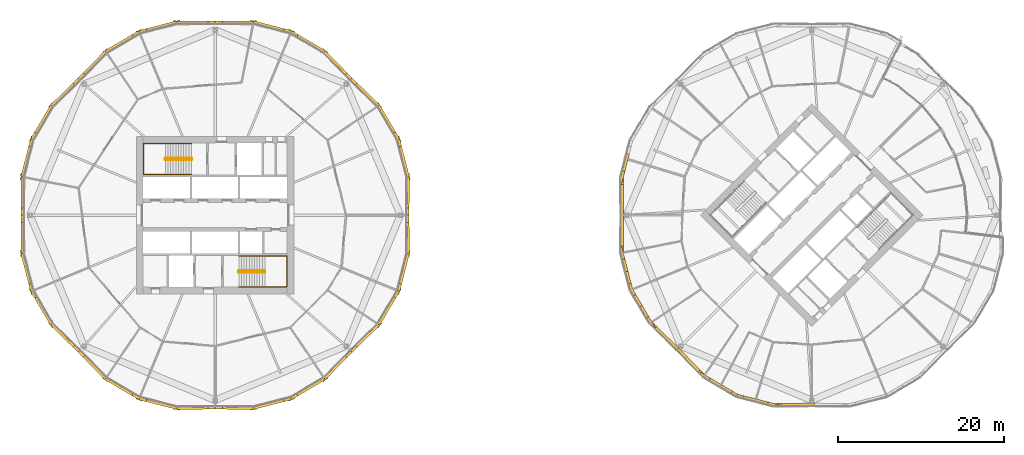
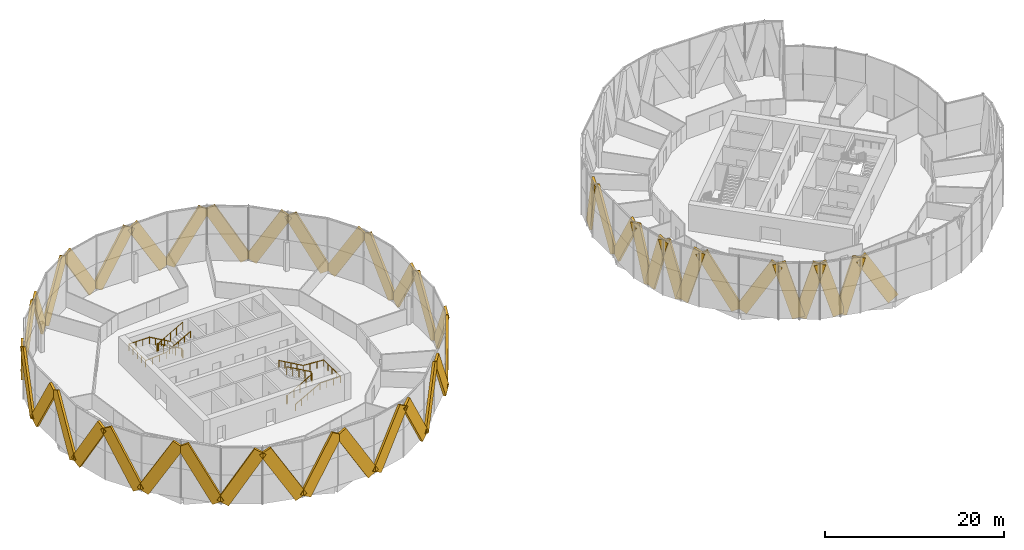
# One storey, part 25 of 27: 46 coverings, 4 railings.
"""IFC4 building model written with IfcOpenShell, lengths in metres."""

import ifcopenshell
import ifcopenshell.guid

model = None  # the IFC model being written
_history = None  # IfcOwnerHistory: only IFC2X3 demands one
_inside = {}  # id of a spatial element -> (the spatial element, [elements in it])
_under = {}  # id of a project, library or spatial element -> (it, [spatial elements below it])
_declared = {}  # id of a project -> (the project, [libraries it declares])
_typed = {}  # id of a type object -> (the type object, [elements of that type])
_made_of = {}  # id of a material, layer set ... -> (it, [elements and type objects made of it])


def new_model(schema):
    """Start an empty IFC model of exactly this schema.

    Asked for "IFC4X3", IfcOpenShell would pick the latest addendum, in which some entities
    have other attributes; the version numbers below select the first issue.
    IFC2X3 requires an IfcOwnerHistory on every rooted entity: one is made here for all.
    """
    global model, _history
    if schema == "IFC4X3":
        model = ifcopenshell.file(schema_version=(4, 3, 0, 0))
    else:
        model = ifcopenshell.file(schema=schema)
    _inside.clear()
    _under.clear()
    _declared.clear()
    _typed.clear()
    _made_of.clear()
    _history = None
    if model.schema == "IFC2X3":
        org = make("IfcOrganization", Name="unknown")
        user = make(
            "IfcPersonAndOrganization",
            ThePerson=make("IfcPerson", FamilyName="unknown"),
            TheOrganization=org,
        )
        app = make(
            "IfcApplication",
            ApplicationDeveloper=org,
            Version="unknown",
            ApplicationFullName="unknown",
            ApplicationIdentifier="unknown",
        )
        _history = make(
            "IfcOwnerHistory",
            OwningUser=user,
            OwningApplication=app,
            ChangeAction="ADDED",
            CreationDate=0,
        )
    return model


def make(cls, **values):
    """One entity of the class cls with the attributes given. An attribute that is None is left unset."""
    return model.create_entity(
        cls, **{name: value for name, value in values.items() if value is not None}
    )


def rooted(cls, **values):
    """An entity with a GlobalId (a new one), such as an element, a storey or a relation."""
    return make(cls, GlobalId=ifcopenshell.guid.new(), OwnerHistory=_history, **values)


def si_unit(unit_type, name, prefix=None):
    """IfcSIUnit, for example si_unit("LENGTHUNIT", "METRE", prefix="MILLI")."""
    return make("IfcSIUnit", UnitType=unit_type, Prefix=prefix, Name=name)


def assignment(units):
    """IfcUnitAssignment: the units of a project."""
    return None if units is None else make("IfcUnitAssignment", Units=units)


def point(xyz):
    """IfcCartesianPoint."""
    return None if xyz is None else make("IfcCartesianPoint", Coordinates=xyz)


def direction(xyz):
    """IfcDirection."""
    return None if xyz is None else make("IfcDirection", DirectionRatios=xyz)


def frame(location, z_axis=None, x_axis=None):
    """IfcAxis2Placement3D, a coordinate frame: its origin and axes. An axis left out is left unset."""
    return make(
        "IfcAxis2Placement3D",
        Location=point(location),
        Axis=direction(z_axis),
        RefDirection=direction(x_axis),
    )


def frame_2d(location, x_axis=None):
    """IfcAxis2Placement2D, a coordinate frame in the plane: its origin and x axis."""
    return make(
        "IfcAxis2Placement2D", Location=point(location), RefDirection=direction(x_axis)
    )


def origin():
    """The frame at (0, 0, 0) with its axes left unset."""
    return frame((0.0, 0.0, 0.0))


def origin_2d():
    """The frame at (0, 0) in the plane with its x axis left unset."""
    return frame_2d((0.0, 0.0))


def place(relative_to, where):
    """IfcLocalPlacement: puts the frame where relative to a parent placement (None: the world)."""
    return make(
        "IfcLocalPlacement", PlacementRelTo=relative_to, RelativePlacement=where
    )


def context(
    kind, dimensions, precision=None, world=None, true_north=None, identifier=None
):
    """IfcGeometricRepresentationContext, for example the 3D "Model" context."""
    return make(
        "IfcGeometricRepresentationContext",
        ContextIdentifier=identifier,
        ContextType=kind,
        CoordinateSpaceDimension=dimensions,
        Precision=precision,
        WorldCoordinateSystem=world,
        TrueNorth=true_north,
    )


def subcontext(parent, identifier, kind, view, scale=None):
    """IfcGeometricRepresentationSubContext, for example "Body" below "Model"."""
    return make(
        "IfcGeometricRepresentationSubContext",
        ContextIdentifier=identifier,
        ContextType=kind,
        ParentContext=parent,
        TargetScale=scale,
        TargetView=view,
    )


def project(units=None, contexts=None):
    """IfcProject with its units and contexts."""
    return rooted(
        "IfcProject",
        Name="project",
        RepresentationContexts=contexts,
        UnitsInContext=assignment(units),
    )


def spatial(cls, under=None, at=None, **own):
    """A site, building, storey or space (cls), placed at a placement, below another one or the project."""
    s = rooted(cls, ObjectPlacement=at, **own)
    if under is not None:
        _under.setdefault(under.id(), (under, []))[1].append(s)
    return s


def profile(cls, at=None, kind="AREA", **sizes):
    """A parametric profile (cls). Its sizes go by their IFC names, for example OverallWidth=200.0."""
    return make(cls, ProfileType=kind, Position=at, **sizes)


def rectangle(**sizes):
    """IfcRectangleProfileDef."""
    return profile("IfcRectangleProfileDef", **sizes)


def circle(**sizes):
    """IfcCircleProfileDef."""
    return profile("IfcCircleProfileDef", **sizes)


def extrude(swept, where, along, depth):
    """IfcExtrudedAreaSolid: the profile swept, set in the frame where, extruded along a direction by depth."""
    return make(
        "IfcExtrudedAreaSolid",
        SweptArea=swept,
        Position=where,
        ExtrudedDirection=direction(along),
        Depth=depth,
    )


def shape(context_of_items, identifier, shape_type, items):
    """IfcShapeRepresentation: the items that make up one representation, for example the "Body"."""
    return make(
        "IfcShapeRepresentation",
        ContextOfItems=context_of_items,
        RepresentationIdentifier=identifier,
        RepresentationType=shape_type,
        Items=items,
    )


def material(Name=None, Category=None):
    """IfcMaterial."""
    return make("IfcMaterial", Name=Name, Category=Category)


def material_profile(
    of_material, cross_section, Name=None, Category=None, Priority=None
):
    """IfcMaterialProfile: a cross section and its material."""
    return make(
        "IfcMaterialProfile",
        Name=Name,
        Material=of_material,
        Profile=cross_section,
        Priority=Priority,
        Category=Category,
    )


def profile_set(profiles, Name=None, composite=None):
    """IfcMaterialProfileSet."""
    return make(
        "IfcMaterialProfileSet",
        Name=Name,
        MaterialProfiles=profiles,
        CompositeProfile=composite,
    )


def made_of(thing, what):
    """Note that an element or type object is made of a material, layer set ...; save() writes the relation."""
    if what is not None:
        _made_of.setdefault(what.id(), (what, []))[1].append(thing)
    return thing


def type_object(cls, material=None, **own):
    """A type object (cls), such as IfcWallType, which elements share."""
    return made_of(rooted(cls, **own), material)


def element(
    cls,
    number,
    at=None,
    inside=None,
    cuts=None,
    type_object=None,
    material=None,
    context=None,
    identifier="Body",
    shape_type=None,
    held_by="IfcProductDefinitionShape",
    body=None,
    shapes=None,
    **own,
):
    """One element of the class cls, such as IfcWall. Its Tag is "e" and its number.

    at: its placement. inside: the storey or other place that contains it. cuts: it is an
    opening in that element (IfcRelVoidsElement). A single representation is given by context,
    identifier, shape_type and body (its items); several are given by shapes. held_by: the class
    of the entity that holds the representations. save() writes the other relations.
    """
    e = rooted(cls, Tag="e%d" % number, ObjectPlacement=at, **own)
    if body is not None:
        shapes = [shape(context, identifier, shape_type, body)]
    if shapes is not None:
        e.Representation = make(held_by, Representations=shapes)
    if inside is not None:
        _inside.setdefault(inside.id(), (inside, []))[1].append(e)
    if cuts is not None:
        rooted(
            "IfcRelVoidsElement", RelatingBuildingElement=cuts, RelatedOpeningElement=e
        )
    if type_object is not None:
        _typed.setdefault(type_object.id(), (type_object, []))[1].append(e)
    return made_of(e, material)


def aggregate(whole, parts):
    """IfcRelAggregates: a whole, such as a stair, and the parts it consists of."""
    return rooted("IfcRelAggregates", RelatingObject=whole, RelatedObjects=parts)


def save(model, path):
    """Write the relations noted so far, then the file.

    IfcRelAggregates (storeys below a building ...), IfcRelContainedInSpatialStructure (elements
    in a storey), IfcRelDefinesByType, IfcRelAssociatesMaterial and IfcRelDeclares: one each for
    every whole, place, type object, material and project.
    """
    for whole, parts in _under.values():
        aggregate(whole, parts)
    for where, things in _inside.values():
        rooted(
            "IfcRelContainedInSpatialStructure",
            RelatedElements=things,
            RelatingStructure=where,
        )
    for kind, things in _typed.values():
        rooted("IfcRelDefinesByType", RelatedObjects=things, RelatingType=kind)
    for what, things in _made_of.values():
        rooted("IfcRelAssociatesMaterial", RelatedObjects=things, RelatingMaterial=what)
    for by, libraries in _declared.values():
        rooted("IfcRelDeclares", RelatingContext=by, RelatedDefinitions=libraries)
    model.write(path)


model = new_model("IFC4")

# Units and contexts
model_context = context("Model", 3, precision=1e-05, world=origin(), true_north=direction((0.0, 1.0)))
body_context = subcontext(model_context, "Body", "Model", "MODEL_VIEW")
ifc_project = project(units=[si_unit("LENGTHUNIT", "METRE"), si_unit("AREAUNIT", "SQUARE_METRE"), si_unit("VOLUMEUNIT", "CUBIC_METRE"), si_unit("PLANEANGLEUNIT", "RADIAN"), si_unit("MASSUNIT", "GRAM", prefix="KILO")], contexts=[model_context])

# Site, building, storey
site_placement = place(None, origin())
site = spatial("IfcSite", under=ifc_project, at=site_placement, CompositionType="ELEMENT")
building_placement = place(site_placement, origin())
building = spatial("IfcBuilding", under=site, at=building_placement, Name="Ogive Gate Towers", CompositionType="ELEMENT")
storey_placement = place(building_placement, frame((0.0, 0.0, 123.0)))
storey = spatial("IfcBuildingStorey", under=building, at=storey_placement, Name="L29", CompositionType="ELEMENT", Elevation=123.0)

# Coverings
ifc_material_1 = material(Name="Pale metal aluminium", Category="aluminium")
ifc_material_profile = material_profile(ifc_material_1, rectangle(XDim=0.300048828125, YDim=1.5, at=origin_2d()), Name="1500 x 300 pale metal aluminium")
ifc_profile_set = profile_set([ifc_material_profile], Name="Pale metal aluminium")
covering_type = type_object("IfcCoveringType", Name="Facade fin 1500 x 300", PredefinedType="CLADDING", material=ifc_profile_set)
covering_1_placement = place(storey_placement, frame((-12.69287109375, 4.361083984375, 0.0302734375), z_axis=(-0.005470679931, -0.506919779181, 0.861975875031), x_axis=(0.999941771419, -0.010791374899, 0.0)))
element("IfcCovering", 1, at=covering_1_placement, inside=storey, type_object=covering_type, Name="Facade fin", PredefinedType="CLADDING", context=body_context, shape_type="SweptSolid", body=[
    extrude(rectangle(XDim=0.300048828125, YDim=1.5, at=origin_2d()), origin(), (0.0, 0.0, 1.0), 8.166748046875),
])
for number, where, z_axis, x_axis, name in (
    (2, (-12.75390625, 4.86083984375, 0.033935546875), (-0.127376111495, 0.495815465606, 0.859035709553), (-0.968549114537, -0.248822452222, 0.0), "Facade fin"),
    (3, (-16.12548828125, 13.000244140625, 0.033935546875), (0.260536148034, -0.440668741226, 0.859029671242), (0.86080588609, 0.508933420471, 0.0), "Facade fin"),
):
    element("IfcCovering", number, at=place(storey_placement, frame(where, z_axis=z_axis, x_axis=x_axis)), inside=storey, type_object=covering_type, Name=name, PredefinedType="CLADDING", context=body_context, shape_type="SweptSolid", body=[
        extrude(rectangle(XDim=0.300048828125, YDim=1.5, at=origin_2d()), origin(), (0.0, 0.0, 1.0), 8.186279296875),
    ])
for number, where, z_axis, x_axis, name in (
    (4, (-16.435546875, 13.39697265625, 0.0302734375), (-0.362323572169, 0.354550954285, 0.861983323427), (-0.699398960398, -0.714731483982, 0.0), "Facade fin"),
    (5, (-22.60302734375, 19.564453125, 0.0302734375), (0.354550954285, -0.362323572169, 0.861983323427), (0.714731483982, 0.699398960398, 0.0), "Facade fin"),
):
    element("IfcCovering", number, at=place(storey_placement, frame(where, z_axis=z_axis, x_axis=x_axis)), inside=storey, type_object=covering_type, Name=name, PredefinedType="CLADDING", context=body_context, shape_type="SweptSolid", body=[
        extrude(rectangle(XDim=0.300048828125, YDim=1.5, at=origin_2d()), origin(), (0.0, 0.0, 1.0), 8.166748046875),
    ])
for number, where, z_axis, x_axis, name in (
    (6, (-22.999755859375, 19.87451171875, 0.033935546875), (-0.440668741226, 0.260536148034, 0.859029671242), (-0.508933420471, -0.86080588609, 0.0), "Facade fin"),
    (7, (-31.13916015625, 23.24609375, 0.033935546875), (0.495815465606, -0.127376111495, 0.859035709553), (0.248822452222, 0.968549114537, 0.0), "Facade fin"),
):
    element("IfcCovering", number, at=place(storey_placement, frame(where, z_axis=z_axis, x_axis=x_axis)), inside=storey, type_object=covering_type, Name=name, PredefinedType="CLADDING", context=body_context, shape_type="SweptSolid", body=[
        extrude(rectangle(XDim=0.300048828125, YDim=1.5, at=origin_2d()), origin(), (0.0, 0.0, 1.0), 8.186279296875),
    ])
for number, where, z_axis, x_axis, name in (
    (8, (-31.638916015625, 23.30712890625, 0.0302734375), (-0.506919779181, -0.005470679931, 0.861975875031), (0.010791374899, -0.999941771419, 0.0), "Facade fin"),
    (9, (-40.361083984375, 23.30712890625, 0.0302734375), (0.506919779181, -0.005470679931, 0.861975875031), (0.010791374899, 0.999941771419, 0.0), "Facade fin"),
):
    element("IfcCovering", number, at=place(storey_placement, frame(where, z_axis=z_axis, x_axis=x_axis)), inside=storey, type_object=covering_type, Name=name, PredefinedType="CLADDING", context=body_context, shape_type="SweptSolid", body=[
        extrude(rectangle(XDim=0.300048828125, YDim=1.5, at=origin_2d()), origin(), (0.0, 0.0, 1.0), 8.166748046875),
    ])
for number, where, z_axis, x_axis, name in (
    (10, (-40.86083984375, 23.24609375, 0.033935546875), (-0.495815465606, -0.127376111495, 0.859035709553), (0.248822452222, -0.968549114537, 0.0), "Facade fin"),
    (11, (-49.000244140625, 19.87451171875, 0.033935546875), (0.440668741226, 0.260536148034, 0.859029671242), (-0.508933420471, 0.86080588609, 0.0), "Facade fin"),
):
    element("IfcCovering", number, at=place(storey_placement, frame(where, z_axis=z_axis, x_axis=x_axis)), inside=storey, type_object=covering_type, Name=name, PredefinedType="CLADDING", context=body_context, shape_type="SweptSolid", body=[
        extrude(rectangle(XDim=0.300048828125, YDim=1.5, at=origin_2d()), origin(), (0.0, 0.0, 1.0), 8.186279296875),
    ])
for number, where, z_axis, x_axis, name in (
    (12, (-49.39697265625, 19.564453125, 0.0302734375), (-0.354550954285, -0.362323572169, 0.861983323427), (0.714731483982, -0.699398960398, 0.0), "Facade fin"),
    (13, (-55.564453125, 13.39697265625, 0.0302734375), (0.362323572169, 0.354550954285, 0.861983323427), (-0.699398960398, 0.714731483982, 0.0), "Facade fin"),
):
    element("IfcCovering", number, at=place(storey_placement, frame(where, z_axis=z_axis, x_axis=x_axis)), inside=storey, type_object=covering_type, Name=name, PredefinedType="CLADDING", context=body_context, shape_type="SweptSolid", body=[
        extrude(rectangle(XDim=0.300048828125, YDim=1.5, at=origin_2d()), origin(), (0.0, 0.0, 1.0), 8.166748046875),
    ])
for number, where, z_axis, x_axis, name in (
    (14, (-55.87451171875, 13.000244140625, 0.033935546875), (-0.260536148034, -0.440668741226, 0.859029671242), (0.86080588609, -0.508933420471, 0.0), "Facade fin"),
    (15, (-59.24609375, 4.86083984375, 0.033935546875), (0.127376111495, 0.495815465606, 0.859035709553), (-0.968549114537, 0.248822452222, 0.0), "Facade fin"),
):
    element("IfcCovering", number, at=place(storey_placement, frame(where, z_axis=z_axis, x_axis=x_axis)), inside=storey, type_object=covering_type, Name=name, PredefinedType="CLADDING", context=body_context, shape_type="SweptSolid", body=[
        extrude(rectangle(XDim=0.300048828125, YDim=1.5, at=origin_2d()), origin(), (0.0, 0.0, 1.0), 8.186279296875),
    ])
for number, where, z_axis, x_axis, name in (
    (16, (-59.30712890625, 4.361083984375, 0.0302734375), (0.005470679931, -0.506919779181, 0.861975875031), (0.999941771419, 0.010791374899, 0.0), "Facade fin"),
    (17, (-59.30712890625, -4.361083984375, 0.0302734375), (0.005470679931, 0.506919779181, 0.861975875031), (-0.999941771419, 0.010791374899, 0.0), "Facade fin"),
):
    element("IfcCovering", number, at=place(storey_placement, frame(where, z_axis=z_axis, x_axis=x_axis)), inside=storey, type_object=covering_type, Name=name, PredefinedType="CLADDING", context=body_context, shape_type="SweptSolid", body=[
        extrude(rectangle(XDim=0.300048828125, YDim=1.5, at=origin_2d()), origin(), (0.0, 0.0, 1.0), 8.166748046875),
    ])
for number, where, z_axis, x_axis, name in (
    (18, (-59.24609375, -4.86083984375, 0.033935546875), (0.127376111495, -0.495815465606, 0.859035709553), (0.968549114537, 0.248822452222, 0.0), "Facade fin"),
    (19, (-55.87451171875, -13.000244140625, 0.033935546875), (-0.260536148034, 0.440668741226, 0.859029671242), (-0.86080588609, -0.508933420471, 0.0), "Facade fin"),
):
    element("IfcCovering", number, at=place(storey_placement, frame(where, z_axis=z_axis, x_axis=x_axis)), inside=storey, type_object=covering_type, Name=name, PredefinedType="CLADDING", context=body_context, shape_type="SweptSolid", body=[
        extrude(rectangle(XDim=0.300048828125, YDim=1.5, at=origin_2d()), origin(), (0.0, 0.0, 1.0), 8.186279296875),
    ])
for number, where, z_axis, x_axis, name in (
    (20, (-55.564453125, -13.39697265625, 0.0302734375), (0.362323572169, -0.354550954285, 0.861983323427), (0.699398960398, 0.714731483982, 0.0), "Facade fin"),
    (21, (-49.39697265625, -19.564453125, 0.0302734375), (-0.354550954285, 0.362323572169, 0.861983323427), (-0.714731483982, -0.699398960398, 0.0), "Facade fin"),
):
    element("IfcCovering", number, at=place(storey_placement, frame(where, z_axis=z_axis, x_axis=x_axis)), inside=storey, type_object=covering_type, Name=name, PredefinedType="CLADDING", context=body_context, shape_type="SweptSolid", body=[
        extrude(rectangle(XDim=0.300048828125, YDim=1.5, at=origin_2d()), origin(), (0.0, 0.0, 1.0), 8.166748046875),
    ])
for number, where, z_axis, x_axis, name in (
    (22, (-49.000244140625, -19.87451171875, 0.033935546875), (0.440668741226, -0.260536148034, 0.859029671242), (0.508933420471, 0.86080588609, 0.0), "Facade fin"),
    (23, (-40.86083984375, -23.24609375, 0.033935546875), (-0.495815465606, 0.127376111495, 0.859035709553), (-0.248822452222, -0.968549114537, 0.0), "Facade fin"),
):
    element("IfcCovering", number, at=place(storey_placement, frame(where, z_axis=z_axis, x_axis=x_axis)), inside=storey, type_object=covering_type, Name=name, PredefinedType="CLADDING", context=body_context, shape_type="SweptSolid", body=[
        extrude(rectangle(XDim=0.300048828125, YDim=1.5, at=origin_2d()), origin(), (0.0, 0.0, 1.0), 8.186279296875),
    ])
for number, where, z_axis, x_axis, name in (
    (24, (-40.361083984375, -23.30712890625, 0.0302734375), (0.506919779181, 0.005470679931, 0.861975875031), (-0.010791374899, 0.999941771419, 0.0), "Facade fin"),
    (25, (-31.638916015625, -23.30712890625, 0.0302734375), (-0.506919779181, 0.005470679931, 0.861975875031), (-0.010791374899, -0.999941771419, 0.0), "Facade fin"),
):
    element("IfcCovering", number, at=place(storey_placement, frame(where, z_axis=z_axis, x_axis=x_axis)), inside=storey, type_object=covering_type, Name=name, PredefinedType="CLADDING", context=body_context, shape_type="SweptSolid", body=[
        extrude(rectangle(XDim=0.300048828125, YDim=1.5, at=origin_2d()), origin(), (0.0, 0.0, 1.0), 8.166748046875),
    ])
for number, where, z_axis, x_axis, name in (
    (26, (-31.13916015625, -23.24609375, 0.033935546875), (0.495815465606, 0.127376111495, 0.859035709553), (-0.248822452222, 0.968549114537, 0.0), "Facade fin"),
    (27, (-22.999755859375, -19.87451171875, 0.033935546875), (-0.440668741226, -0.260536148034, 0.859029671242), (0.508933420471, -0.86080588609, 0.0), "Facade fin"),
):
    element("IfcCovering", number, at=place(storey_placement, frame(where, z_axis=z_axis, x_axis=x_axis)), inside=storey, type_object=covering_type, Name=name, PredefinedType="CLADDING", context=body_context, shape_type="SweptSolid", body=[
        extrude(rectangle(XDim=0.300048828125, YDim=1.5, at=origin_2d()), origin(), (0.0, 0.0, 1.0), 8.186279296875),
    ])
for number, where, z_axis, x_axis, name in (
    (28, (-22.60302734375, -19.564453125, 0.0302734375), (0.354550954285, 0.362323572169, 0.861983323427), (-0.714731483982, 0.699398960398, 0.0), "Facade fin"),
    (29, (-16.435546875, -13.39697265625, 0.0302734375), (-0.362323572169, -0.354550954285, 0.861983323427), (0.699398960398, -0.714731483982, 0.0), "Facade fin"),
):
    element("IfcCovering", number, at=place(storey_placement, frame(where, z_axis=z_axis, x_axis=x_axis)), inside=storey, type_object=covering_type, Name=name, PredefinedType="CLADDING", context=body_context, shape_type="SweptSolid", body=[
        extrude(rectangle(XDim=0.300048828125, YDim=1.5, at=origin_2d()), origin(), (0.0, 0.0, 1.0), 8.166748046875),
    ])
for number, where, z_axis, x_axis, name in (
    (30, (-16.12548828125, -13.000244140625, 0.033935546875), (0.260536148034, 0.440668741226, 0.859029671242), (-0.86080588609, 0.508933420471, 0.0), "Facade fin"),
    (31, (-12.75390625, -4.86083984375, 0.033935546875), (-0.127376111495, -0.495815465606, 0.859035709553), (0.968549114537, -0.248822452222, 0.0), "Facade fin"),
):
    element("IfcCovering", number, at=place(storey_placement, frame(where, z_axis=z_axis, x_axis=x_axis)), inside=storey, type_object=covering_type, Name=name, PredefinedType="CLADDING", context=body_context, shape_type="SweptSolid", body=[
        extrude(rectangle(XDim=0.300048828125, YDim=1.5, at=origin_2d()), origin(), (0.0, 0.0, 1.0), 8.186279296875),
    ])
for number, where, z_axis, x_axis, name in (
    (32, (-12.69287109375, -4.361083984375, 0.0302734375), (-0.005470679931, 0.506919779181, 0.861975875031), (-0.999941771419, -0.010791374899, 0.0), "Facade fin"),
    (33, (13.15771484375, 0.225830078125, 0.0302734375), (-0.005500573455, 0.506919696051, 0.861975733676), (-0.999941133358, -0.010850337238, 0.0), "Facade fin"),
):
    element("IfcCovering", number, at=place(storey_placement, frame(where, z_axis=z_axis, x_axis=x_axis)), inside=storey, type_object=covering_type, Name=name, PredefinedType="CLADDING", context=body_context, shape_type="SweptSolid", body=[
        extrude(rectangle(XDim=0.300048828125, YDim=1.5, at=origin_2d()), origin(), (0.0, 0.0, 1.0), 8.166748046875),
    ])
covering_2_placement = place(storey_placement, frame((13.666259765625, 6.723876953125, -0.1357421875), z_axis=(-0.071066577254, -0.276553411172, 0.958367232519), x_axis=(0.968532753782, -0.248886128282, 0.0)))
element("IfcCovering", 34, at=covering_2_placement, inside=storey, type_object=covering_type, Name="Facade fin", PredefinedType="CLADDING", context=body_context, shape_type="SweptSolid", body=[
    extrude(rectangle(XDim=0.300048828125, YDim=1.5, at=origin_2d()), origin(), (0.0, 0.0, 1.0), 7.69189453125),
])
covering_3_placement = place(storey_placement, frame((19.688232421875, -15.9921875, 0.0302734375), z_axis=(-0.362297601589, 0.354554794525, 0.861992659808), x_axis=(-0.699428439736, -0.714702635848, 0.0)))
element("IfcCovering", 35, at=covering_3_placement, inside=storey, type_object=covering_type, Name="Facade fin", PredefinedType="CLADDING", context=body_context, shape_type="SweptSolid", body=[
    extrude(rectangle(XDim=0.300048828125, YDim=1.5, at=origin_2d()), origin(), (0.0, 0.0, 1.0), 8.16650390625),
])
for number, where, z_axis, x_axis, name in (
    (36, (15.452880859375, -11.037841796875, -0.1357421875), (0.145368328746, -0.245824826667, 0.958351816189), (0.860760541926, 0.509010107427, 0.0), "Facade fin"),
    (37, (15.38818359375, -10.927978515625, -0.1357421875), (-0.145368328746, 0.245824826667, 0.958351816189), (-0.860760541926, -0.509010107427, 0.0), "Facade fin"),
    (38, (13.697998046875, -6.84765625, -0.1357421875), (0.071034373562, -0.276583347283, 0.958360980935), (0.968566423402, 0.248755067199, 0.0), "Facade fin"),
    (39, (13.666259765625, -6.723876953125, -0.1357421875), (-0.071066577254, 0.276553411172, 0.958367232519), (-0.968532753782, -0.248886128282, 0.0), "Facade fin"),
):
    element("IfcCovering", number, at=place(storey_placement, frame(where, z_axis=z_axis, x_axis=x_axis)), inside=storey, type_object=covering_type, Name=name, PredefinedType="CLADDING", context=body_context, shape_type="SweptSolid", body=[
        extrude(rectangle(XDim=0.300048828125, YDim=1.5, at=origin_2d()), origin(), (0.0, 0.0, 1.0), 7.69189453125),
    ])
for number, where, z_axis, x_axis, name in (
    (40, (13.15771484375, -0.225830078125, 0.0302734375), (-0.005500573455, -0.506919696051, 0.861975733676), (0.999941133358, -0.010850337238, 0.0), "Facade fin"),
    (41, (35.774169921875, -22.84228515625, 0.0302734375), (-0.506919696051, -0.005500573455, 0.861975733676), (0.010850337238, -0.999941133358, 0.0), "Facade fin"),
):
    element("IfcCovering", number, at=place(storey_placement, frame(where, z_axis=z_axis, x_axis=x_axis)), inside=storey, type_object=covering_type, Name=name, PredefinedType="CLADDING", context=body_context, shape_type="SweptSolid", body=[
        extrude(rectangle(XDim=0.300048828125, YDim=1.5, at=origin_2d()), origin(), (0.0, 0.0, 1.0), 8.166748046875),
    ])
for number, where, z_axis, x_axis, name in (
    (42, (29.276123046875, -22.333740234375, -0.1357421875), (0.276553411172, -0.071066577254, 0.958367232519), (0.248886128282, 0.968532753782, 0.0), "Facade fin"),
    (43, (29.15234375, -22.302001953125, -0.1357421875), (-0.276583347283, 0.071034373562, 0.958360980935), (-0.248755067199, -0.968566423402, 0.0), "Facade fin"),
    (44, (25.072021484375, -20.61181640625, -0.1357421875), (0.245824826667, -0.145368328746, 0.958351816189), (0.509010107427, 0.860760541926, 0.0), "Facade fin"),
    (45, (24.962158203125, -20.547119140625, -0.1357421875), (-0.245824826667, 0.145368328746, 0.958351816189), (-0.509010107427, -0.860760541926, 0.0), "Facade fin"),
):
    element("IfcCovering", number, at=place(storey_placement, frame(where, z_axis=z_axis, x_axis=x_axis)), inside=storey, type_object=covering_type, Name=name, PredefinedType="CLADDING", context=body_context, shape_type="SweptSolid", body=[
        extrude(rectangle(XDim=0.300048828125, YDim=1.5, at=origin_2d()), origin(), (0.0, 0.0, 1.0), 7.69189453125),
    ])
covering_4_placement = place(storey_placement, frame((20.0078125, -16.311767578125, 0.0302734375), z_axis=(0.354554794525, -0.362297601589, 0.861992659808), x_axis=(0.714702635848, 0.699428439736, 0.0)))
element("IfcCovering", 46, at=covering_4_placement, inside=storey, type_object=covering_type, Name="Facade fin", PredefinedType="CLADDING", context=body_context, shape_type="SweptSolid", body=[
    extrude(rectangle(XDim=0.300048828125, YDim=1.5, at=origin_2d()), origin(), (0.0, 0.0, 1.0), 8.16650390625),
])

# Railings
ifc_material_2 = material(Name="Stainless steel", Category="steel")
railing_type_1 = type_object("IfcRailingType", Name="Stair guard 1100", PredefinedType="GUARDRAIL", material=ifc_material_2)
railing_1_placement = place(storey_placement, frame((-38.81494140625, 6.860107421875, 0.0)))
element("IfcRailing", 47, at=railing_1_placement, inside=storey, type_object=railing_type_1, Name="L29 ST1 stair guard 1", PredefinedType="GUARDRAIL", context=body_context, shape_type="SweptSolid", body=[
    extrude(circle(Radius=0.02392578125, at=origin_2d()), frame((0.0, 0.0, 1.076171875), z_axis=(0.0, -1.0, 0.0), x_axis=(1.0, 0.0, 0.0)), (0.0, 0.0, 1.0), 0.14501953125),
    extrude(circle(Radius=0.02392578125, at=origin_2d()), frame((0.0, -0.14501953125, 1.076171875), z_axis=(-0.186679794065, 0.726685247142, 0.661119660934), x_axis=(-0.968551454522, -0.24881334358, 0.0)), (0.0, 0.0, 1.0), 0.26806640625),
    extrude(circle(Radius=0.02392578125, at=origin_2d()), frame((-0.050048828125, 0.0498046875, 1.25341796875), z_axis=(-0.870572935281, 0.0, 0.492039393094), x_axis=(0.0, -1.0, 0.0)), (0.0, 0.0, 1.0), 3.602783203125),
    extrude(circle(Radius=0.02392578125, at=origin_2d()), frame((-3.1865234375, 0.0498046875, 3.02587890625), z_axis=(-0.707106781187, -0.707106781187, 0.0), x_axis=(0.707106781187, -0.707106781187, 0.0)), (0.0, 0.0, 1.0), 0.0703125),
    extrude(circle(Radius=0.02392578125, at=origin_2d()), frame((-3.236328125, 0.0, 3.02587890625), z_axis=(0.0, -1.0, 0.0), x_axis=(1.0, 0.0, 0.0)), (0.0, 0.0, 1.0), 0.14501953125),
    extrude(circle(Radius=0.02392578125, at=origin_2d()), frame((-3.236328125, -0.14501953125, 3.02587890625), z_axis=(0.261041864531, -0.262321481514, 0.929001929653), x_axis=(0.708833529934, 0.705375805398, 0.0)), (0.0, 0.0, 1.0), 0.190673828125),
    extrude(circle(Radius=0.02392578125, at=origin_2d()), frame((-3.1865234375, -0.195068359375, 3.203125), z_axis=(0.870572935281, 0.0, 0.492039393094), x_axis=(0.0, 1.0, 0.0)), (0.0, 0.0, 1.0), 3.602783203125),
    extrude(circle(Radius=0.02099609375, at=origin_2d()), origin(), (0.0, 0.0, 1.0), 1.052001953125),
    extrude(circle(Radius=0.02099609375, at=origin_2d()), frame((0.0, -0.14501953125, 0.0)), (0.0, 0.0, 1.0), 1.052001953125),
    extrude(circle(Radius=0.02099609375, at=origin_2d()), frame((-0.050048828125, 0.0498046875, 0.17724609375)), (0.0, 0.0, 1.0), 1.052001953125),
    extrude(circle(Radius=0.02099609375, at=origin_2d()), frame((-0.834228515625, 0.0498046875, 0.620361328125)), (0.0, 0.0, 1.0), 1.052001953125),
    extrude(circle(Radius=0.02099609375, at=origin_2d()), frame((-1.6181640625, 0.0498046875, 1.0634765625)), (0.0, 0.0, 1.0), 1.052001953125),
    extrude(circle(Radius=0.02099609375, at=origin_2d()), frame((-2.40234375, 0.0498046875, 1.5068359375)), (0.0, 0.0, 1.0), 1.052001953125),
    extrude(circle(Radius=0.02099609375, at=origin_2d()), frame((-3.1865234375, 0.0498046875, 1.949951171875)), (0.0, 0.0, 1.0), 1.052001953125),
    extrude(circle(Radius=0.02099609375, at=origin_2d()), frame((-3.236328125, 0.0, 1.949951171875)), (0.0, 0.0, 1.0), 1.052001953125),
    extrude(circle(Radius=0.02099609375, at=origin_2d()), frame((-3.236328125, -0.14501953125, 1.949951171875)), (0.0, 0.0, 1.0), 1.052001953125),
    extrude(circle(Radius=0.02099609375, at=origin_2d()), frame((-3.1865234375, -0.195068359375, 2.127197265625)), (0.0, 0.0, 1.0), 1.052001953125),
    extrude(circle(Radius=0.02099609375, at=origin_2d()), frame((-2.40234375, -0.195068359375, 2.5703125)), (0.0, 0.0, 1.0), 1.052001953125),
    extrude(circle(Radius=0.02099609375, at=origin_2d()), frame((-1.6181640625, -0.195068359375, 3.013671875)), (0.0, 0.0, 1.0), 1.052001953125),
    extrude(circle(Radius=0.02099609375, at=origin_2d()), frame((-0.834228515625, -0.195068359375, 3.456787109375)), (0.0, 0.0, 1.0), 1.052001953125),
    extrude(circle(Radius=0.02099609375, at=origin_2d()), frame((-0.050048828125, -0.195068359375, 3.89990234375)), (0.0, 0.0, 1.0), 1.052001953125),
])
railing_2_placement = place(storey_placement, frame((-33.18505859375, -6.860107421875, 0.0)))
element("IfcRailing", 48, at=railing_2_placement, inside=storey, type_object=railing_type_1, Name="L29 ST2 stair guard 1", PredefinedType="GUARDRAIL", context=body_context, shape_type="SweptSolid", body=[
    extrude(circle(Radius=0.02392578125, at=origin_2d()), frame((0.0, 0.0, 1.076171875), z_axis=(0.0, 1.0, 0.0), x_axis=(-1.0, 0.0, 0.0)), (0.0, 0.0, 1.0), 0.14501953125),
    extrude(circle(Radius=0.02392578125, at=origin_2d()), frame((0.0, 0.14501953125, 1.076171875), z_axis=(0.186679794065, -0.726685247142, 0.661119660934), x_axis=(0.968551454522, 0.24881334358, 0.0)), (0.0, 0.0, 1.0), 0.26806640625),
    extrude(circle(Radius=0.02392578125, at=origin_2d()), frame((0.050048828125, -0.0498046875, 1.25341796875), z_axis=(0.870572935281, 0.0, 0.492039393094), x_axis=(0.0, 1.0, 0.0)), (0.0, 0.0, 1.0), 3.602783203125),
    extrude(circle(Radius=0.02392578125, at=origin_2d()), frame((3.1865234375, -0.0498046875, 3.02587890625), z_axis=(0.707106781187, 0.707106781187, 0.0), x_axis=(-0.707106781187, 0.707106781187, 0.0)), (0.0, 0.0, 1.0), 0.0703125),
    extrude(circle(Radius=0.02392578125, at=origin_2d()), frame((3.236328125, 0.0, 3.02587890625), z_axis=(0.0, 1.0, 0.0), x_axis=(-1.0, 0.0, 0.0)), (0.0, 0.0, 1.0), 0.14501953125),
    extrude(circle(Radius=0.02392578125, at=origin_2d()), frame((3.236328125, 0.14501953125, 3.02587890625), z_axis=(-0.261041864531, 0.262321481514, 0.929001929653), x_axis=(-0.708833529934, -0.705375805398, 0.0)), (0.0, 0.0, 1.0), 0.190673828125),
    extrude(circle(Radius=0.02392578125, at=origin_2d()), frame((3.1865234375, 0.195068359375, 3.203125), z_axis=(-0.870572935281, 0.0, 0.492039393094), x_axis=(0.0, -1.0, 0.0)), (0.0, 0.0, 1.0), 3.602783203125),
    extrude(circle(Radius=0.02099609375, at=origin_2d()), origin(), (0.0, 0.0, 1.0), 1.052001953125),
    extrude(circle(Radius=0.02099609375, at=origin_2d()), frame((0.0, 0.14501953125, 0.0)), (0.0, 0.0, 1.0), 1.052001953125),
    extrude(circle(Radius=0.02099609375, at=origin_2d()), frame((0.050048828125, -0.0498046875, 0.17724609375)), (0.0, 0.0, 1.0), 1.052001953125),
    extrude(circle(Radius=0.02099609375, at=origin_2d()), frame((0.834228515625, -0.0498046875, 0.620361328125)), (0.0, 0.0, 1.0), 1.052001953125),
    extrude(circle(Radius=0.02099609375, at=origin_2d()), frame((1.6181640625, -0.0498046875, 1.0634765625)), (0.0, 0.0, 1.0), 1.052001953125),
    extrude(circle(Radius=0.02099609375, at=origin_2d()), frame((2.40234375, -0.0498046875, 1.5068359375)), (0.0, 0.0, 1.0), 1.052001953125),
    extrude(circle(Radius=0.02099609375, at=origin_2d()), frame((3.1865234375, -0.0498046875, 1.949951171875)), (0.0, 0.0, 1.0), 1.052001953125),
    extrude(circle(Radius=0.02099609375, at=origin_2d()), frame((3.236328125, 0.0, 1.949951171875)), (0.0, 0.0, 1.0), 1.052001953125),
    extrude(circle(Radius=0.02099609375, at=origin_2d()), frame((3.236328125, 0.14501953125, 1.949951171875)), (0.0, 0.0, 1.0), 1.052001953125),
    extrude(circle(Radius=0.02099609375, at=origin_2d()), frame((3.1865234375, 0.195068359375, 2.127197265625)), (0.0, 0.0, 1.0), 1.052001953125),
    extrude(circle(Radius=0.02099609375, at=origin_2d()), frame((2.40234375, 0.195068359375, 2.5703125)), (0.0, 0.0, 1.0), 1.052001953125),
    extrude(circle(Radius=0.02099609375, at=origin_2d()), frame((1.6181640625, 0.195068359375, 3.013671875)), (0.0, 0.0, 1.0), 1.052001953125),
    extrude(circle(Radius=0.02099609375, at=origin_2d()), frame((0.834228515625, 0.195068359375, 3.456787109375)), (0.0, 0.0, 1.0), 1.052001953125),
    extrude(circle(Radius=0.02099609375, at=origin_2d()), frame((0.050048828125, 0.195068359375, 3.89990234375)), (0.0, 0.0, 1.0), 1.052001953125),
])
railing_type_2 = type_object("IfcRailingType", Name="Stair handrail 900", PredefinedType="HANDRAIL", material=ifc_material_2)
railing_3_placement = place(storey_placement, frame((-38.864990234375, 8.64990234375, 0.17724609375)))
element("IfcRailing", 49, at=railing_3_placement, inside=storey, type_object=railing_type_2, Name="L29 ST1 stair handrail 1", PredefinedType="HANDRAIL", context=body_context, shape_type="SweptSolid", body=[
    extrude(circle(Radius=0.02392578125, at=origin_2d()), frame((0.0, 0.0, 0.8759765625), z_axis=(-0.870572935281, 0.0, 0.492039393094), x_axis=(0.0, -1.0, 0.0)), (0.0, 0.0, 1.0), 3.602783203125),
    extrude(circle(Radius=0.02392578125, at=origin_2d()), frame((-3.136474609375, 0.0, 2.6484375), z_axis=(-1.0, 0.0, 0.0), x_axis=(0.0, -1.0, 0.0)), (0.0, 0.0, 1.0), 2.6484375),
    extrude(circle(Radius=0.02392578125, at=origin_2d()), frame((-5.784912109375, 0.0, 2.6484375), z_axis=(0.0, -1.0, 0.0), x_axis=(1.0, 0.0, 0.0)), (0.0, 0.0, 1.0), 3.724853515625),
    extrude(circle(Radius=0.02392578125, at=origin_2d()), frame((-5.784912109375, -3.724853515625, 2.6484375), z_axis=(0.997768031817, 0.0, 0.066775404784), x_axis=(0.0, 1.0, 0.0)), (0.0, 0.0, 1.0), 2.654296875),
    extrude(circle(Radius=0.02392578125, at=origin_2d()), frame((-3.136474609375, -3.724853515625, 2.82568359375), z_axis=(0.870572935281, 0.0, 0.492039393094), x_axis=(0.0, 1.0, 0.0)), (0.0, 0.0, 1.0), 3.602783203125),
    extrude(circle(Radius=0.02099609375, at=origin_2d()), origin(), (0.0, 0.0, 1.0), 0.851806640625),
    extrude(circle(Radius=0.02099609375, at=origin_2d()), frame((-0.7841796875, 0.0, 0.443115234375)), (0.0, 0.0, 1.0), 0.851806640625),
    extrude(circle(Radius=0.02099609375, at=origin_2d()), frame((-1.568359375, 0.0, 0.88623046875)), (0.0, 0.0, 1.0), 0.851806640625),
    extrude(circle(Radius=0.02099609375, at=origin_2d()), frame((-2.352294921875, 0.0, 1.32958984375)), (0.0, 0.0, 1.0), 0.851806640625),
    extrude(circle(Radius=0.02099609375, at=origin_2d()), frame((-3.136474609375, 0.0, 1.772705078125)), (0.0, 0.0, 1.0), 0.851806640625),
    extrude(circle(Radius=0.02099609375, at=origin_2d()), frame((-4.019287109375, 0.0, 1.772705078125)), (0.0, 0.0, 1.0), 0.851806640625),
    extrude(circle(Radius=0.02099609375, at=origin_2d()), frame((-4.902099609375, 0.0, 1.772705078125)), (0.0, 0.0, 1.0), 0.851806640625),
    extrude(circle(Radius=0.02099609375, at=origin_2d()), frame((-5.784912109375, 0.0, 1.772705078125)), (0.0, 0.0, 1.0), 0.851806640625),
    extrude(circle(Radius=0.02099609375, at=origin_2d()), frame((-5.784912109375, -0.93115234375, 1.772705078125)), (0.0, 0.0, 1.0), 0.851806640625),
    extrude(circle(Radius=0.02099609375, at=origin_2d()), frame((-5.784912109375, -1.8623046875, 1.772705078125)), (0.0, 0.0, 1.0), 0.851806640625),
    extrude(circle(Radius=0.02099609375, at=origin_2d()), frame((-5.784912109375, -2.793701171875, 1.772705078125)), (0.0, 0.0, 1.0), 0.851806640625),
    extrude(circle(Radius=0.02099609375, at=origin_2d()), frame((-5.784912109375, -3.724853515625, 1.772705078125)), (0.0, 0.0, 1.0), 0.851806640625),
    extrude(circle(Radius=0.02099609375, at=origin_2d()), frame((-4.902099609375, -3.724853515625, 1.831787109375)), (0.0, 0.0, 1.0), 0.851806640625),
    extrude(circle(Radius=0.02099609375, at=origin_2d()), frame((-4.019287109375, -3.724853515625, 1.890869140625)), (0.0, 0.0, 1.0), 0.851806640625),
    extrude(circle(Radius=0.02099609375, at=origin_2d()), frame((-3.136474609375, -3.724853515625, 1.949951171875)), (0.0, 0.0, 1.0), 0.851806640625),
    extrude(circle(Radius=0.02099609375, at=origin_2d()), frame((-2.352294921875, -3.724853515625, 2.39306640625)), (0.0, 0.0, 1.0), 0.851806640625),
    extrude(circle(Radius=0.02099609375, at=origin_2d()), frame((-1.568359375, -3.724853515625, 2.83642578125)), (0.0, 0.0, 1.0), 0.851806640625),
    extrude(circle(Radius=0.02099609375, at=origin_2d()), frame((-0.7841796875, -3.724853515625, 3.279541015625)), (0.0, 0.0, 1.0), 0.851806640625),
    extrude(circle(Radius=0.02099609375, at=origin_2d()), frame((0.0, -3.724853515625, 3.72265625)), (0.0, 0.0, 1.0), 0.851806640625),
])
railing_4_placement = place(storey_placement, frame((-33.135009765625, -8.64990234375, 0.17724609375)))
element("IfcRailing", 50, at=railing_4_placement, inside=storey, type_object=railing_type_2, Name="L29 ST2 stair handrail 1", PredefinedType="HANDRAIL", context=body_context, shape_type="SweptSolid", body=[
    extrude(circle(Radius=0.02392578125, at=origin_2d()), frame((0.0, 0.0, 0.8759765625), z_axis=(0.870572935281, 0.0, 0.492039393094), x_axis=(0.0, 1.0, 0.0)), (0.0, 0.0, 1.0), 3.602783203125),
    extrude(circle(Radius=0.02392578125, at=origin_2d()), frame((3.136474609375, 0.0, 2.6484375), z_axis=(1.0, 0.0, 0.0), x_axis=(0.0, 1.0, 0.0)), (0.0, 0.0, 1.0), 2.6484375),
    extrude(circle(Radius=0.02392578125, at=origin_2d()), frame((5.784912109375, 0.0, 2.6484375), z_axis=(0.0, 1.0, 0.0), x_axis=(-1.0, 0.0, 0.0)), (0.0, 0.0, 1.0), 3.724853515625),
    extrude(circle(Radius=0.02392578125, at=origin_2d()), frame((5.784912109375, 3.724853515625, 2.6484375), z_axis=(-0.997768031817, 0.0, 0.066775404784), x_axis=(0.0, -1.0, 0.0)), (0.0, 0.0, 1.0), 2.654296875),
    extrude(circle(Radius=0.02392578125, at=origin_2d()), frame((3.136474609375, 3.724853515625, 2.82568359375), z_axis=(-0.870572935281, 0.0, 0.492039393094), x_axis=(0.0, -1.0, 0.0)), (0.0, 0.0, 1.0), 3.602783203125),
    extrude(circle(Radius=0.02099609375, at=origin_2d()), origin(), (0.0, 0.0, 1.0), 0.851806640625),
    extrude(circle(Radius=0.02099609375, at=origin_2d()), frame((0.7841796875, 0.0, 0.443115234375)), (0.0, 0.0, 1.0), 0.851806640625),
    extrude(circle(Radius=0.02099609375, at=origin_2d()), frame((1.568359375, 0.0, 0.88623046875)), (0.0, 0.0, 1.0), 0.851806640625),
    extrude(circle(Radius=0.02099609375, at=origin_2d()), frame((2.352294921875, 0.0, 1.32958984375)), (0.0, 0.0, 1.0), 0.851806640625),
    extrude(circle(Radius=0.02099609375, at=origin_2d()), frame((3.136474609375, 0.0, 1.772705078125)), (0.0, 0.0, 1.0), 0.851806640625),
    extrude(circle(Radius=0.02099609375, at=origin_2d()), frame((4.019287109375, 0.0, 1.772705078125)), (0.0, 0.0, 1.0), 0.851806640625),
    extrude(circle(Radius=0.02099609375, at=origin_2d()), frame((4.902099609375, 0.0, 1.772705078125)), (0.0, 0.0, 1.0), 0.851806640625),
    extrude(circle(Radius=0.02099609375, at=origin_2d()), frame((5.784912109375, 0.0, 1.772705078125)), (0.0, 0.0, 1.0), 0.851806640625),
    extrude(circle(Radius=0.02099609375, at=origin_2d()), frame((5.784912109375, 0.93115234375, 1.772705078125)), (0.0, 0.0, 1.0), 0.851806640625),
    extrude(circle(Radius=0.02099609375, at=origin_2d()), frame((5.784912109375, 1.8623046875, 1.772705078125)), (0.0, 0.0, 1.0), 0.851806640625),
    extrude(circle(Radius=0.02099609375, at=origin_2d()), frame((5.784912109375, 2.793701171875, 1.772705078125)), (0.0, 0.0, 1.0), 0.851806640625),
    extrude(circle(Radius=0.02099609375, at=origin_2d()), frame((5.784912109375, 3.724853515625, 1.772705078125)), (0.0, 0.0, 1.0), 0.851806640625),
    extrude(circle(Radius=0.02099609375, at=origin_2d()), frame((4.902099609375, 3.724853515625, 1.831787109375)), (0.0, 0.0, 1.0), 0.851806640625),
    extrude(circle(Radius=0.02099609375, at=origin_2d()), frame((4.019287109375, 3.724853515625, 1.890869140625)), (0.0, 0.0, 1.0), 0.851806640625),
    extrude(circle(Radius=0.02099609375, at=origin_2d()), frame((3.136474609375, 3.724853515625, 1.949951171875)), (0.0, 0.0, 1.0), 0.851806640625),
    extrude(circle(Radius=0.02099609375, at=origin_2d()), frame((2.352294921875, 3.724853515625, 2.39306640625)), (0.0, 0.0, 1.0), 0.851806640625),
    extrude(circle(Radius=0.02099609375, at=origin_2d()), frame((1.568359375, 3.724853515625, 2.83642578125)), (0.0, 0.0, 1.0), 0.851806640625),
    extrude(circle(Radius=0.02099609375, at=origin_2d()), frame((0.7841796875, 3.724853515625, 3.279541015625)), (0.0, 0.0, 1.0), 0.851806640625),
    extrude(circle(Radius=0.02099609375, at=origin_2d()), frame((0.0, 3.724853515625, 3.72265625)), (0.0, 0.0, 1.0), 0.851806640625),
])

save(model, "model.ifc")
